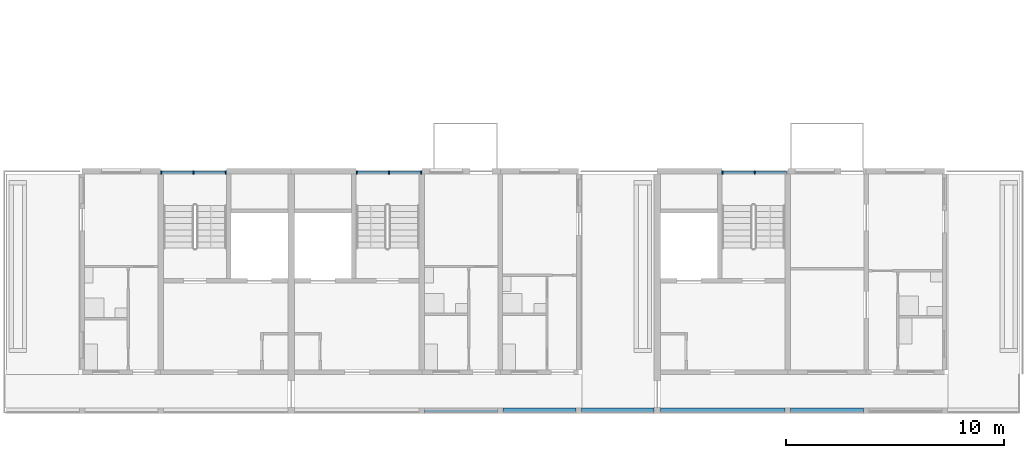
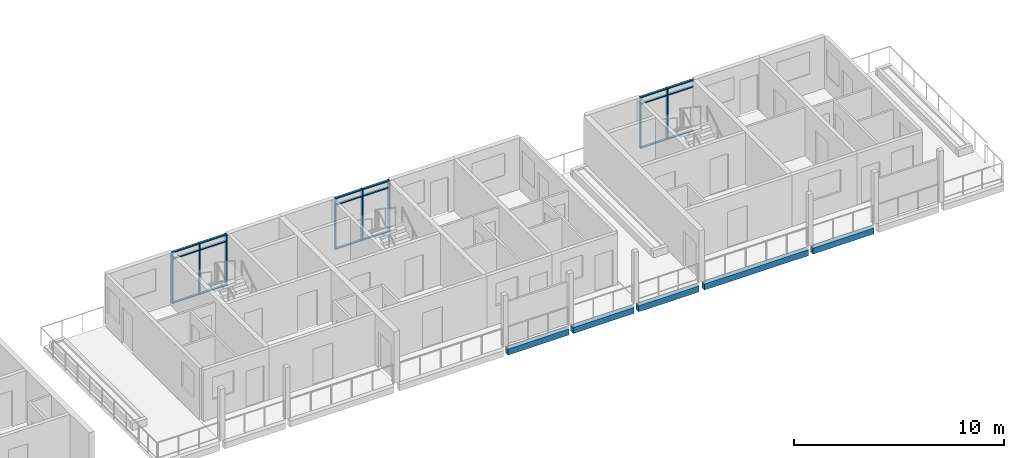
# One storey, part 14 of 55: 26 members, 5 beams, 3 elements without a shape of their own.
"""IFC4 building model written with IfcOpenShell, lengths in metres."""

import ifcopenshell
import ifcopenshell.guid

model = None  # the IFC model being written
_history = None  # IfcOwnerHistory: only IFC2X3 demands one
_inside = {}  # id of a spatial element -> (the spatial element, [elements in it])
_under = {}  # id of a project, library or spatial element -> (it, [spatial elements below it])
_declared = {}  # id of a project -> (the project, [libraries it declares])
_typed = {}  # id of a type object -> (the type object, [elements of that type])
_made_of = {}  # id of a material, layer set ... -> (it, [elements and type objects made of it])


def new_model(schema):
    """Start an empty IFC model of exactly this schema.

    Asked for "IFC4X3", IfcOpenShell would pick the latest addendum, in which some entities
    have other attributes; the version numbers below select the first issue.
    IFC2X3 requires an IfcOwnerHistory on every rooted entity: one is made here for all.
    """
    global model, _history
    if schema == "IFC4X3":
        model = ifcopenshell.file(schema_version=(4, 3, 0, 0))
    else:
        model = ifcopenshell.file(schema=schema)
    _inside.clear()
    _under.clear()
    _declared.clear()
    _typed.clear()
    _made_of.clear()
    _history = None
    if model.schema == "IFC2X3":
        org = make("IfcOrganization", Name="unknown")
        user = make(
            "IfcPersonAndOrganization",
            ThePerson=make("IfcPerson", FamilyName="unknown"),
            TheOrganization=org,
        )
        app = make(
            "IfcApplication",
            ApplicationDeveloper=org,
            Version="unknown",
            ApplicationFullName="unknown",
            ApplicationIdentifier="unknown",
        )
        _history = make(
            "IfcOwnerHistory",
            OwningUser=user,
            OwningApplication=app,
            ChangeAction="ADDED",
            CreationDate=0,
        )
    return model


def make(cls, **values):
    """One entity of the class cls with the attributes given. An attribute that is None is left unset."""
    return model.create_entity(
        cls, **{name: value for name, value in values.items() if value is not None}
    )


def rooted(cls, **values):
    """An entity with a GlobalId (a new one), such as an element, a storey or a relation."""
    return make(cls, GlobalId=ifcopenshell.guid.new(), OwnerHistory=_history, **values)


def si_unit(unit_type, name, prefix=None):
    """IfcSIUnit, for example si_unit("LENGTHUNIT", "METRE", prefix="MILLI")."""
    return make("IfcSIUnit", UnitType=unit_type, Prefix=prefix, Name=name)


def assignment(units):
    """IfcUnitAssignment: the units of a project."""
    return None if units is None else make("IfcUnitAssignment", Units=units)


def point(xyz):
    """IfcCartesianPoint."""
    return None if xyz is None else make("IfcCartesianPoint", Coordinates=xyz)


def direction(xyz):
    """IfcDirection."""
    return None if xyz is None else make("IfcDirection", DirectionRatios=xyz)


def frame(location, z_axis=None, x_axis=None):
    """IfcAxis2Placement3D, a coordinate frame: its origin and axes. An axis left out is left unset."""
    return make(
        "IfcAxis2Placement3D",
        Location=point(location),
        Axis=direction(z_axis),
        RefDirection=direction(x_axis),
    )


def frame_2d(location, x_axis=None):
    """IfcAxis2Placement2D, a coordinate frame in the plane: its origin and x axis."""
    return make(
        "IfcAxis2Placement2D", Location=point(location), RefDirection=direction(x_axis)
    )


def origin():
    """The frame at (0, 0, 0) with its axes left unset."""
    return frame((0.0, 0.0, 0.0))


def origin_2d():
    """The frame at (0, 0) in the plane with its x axis left unset."""
    return frame_2d((0.0, 0.0))


def place(relative_to, where):
    """IfcLocalPlacement: puts the frame where relative to a parent placement (None: the world)."""
    return make(
        "IfcLocalPlacement", PlacementRelTo=relative_to, RelativePlacement=where
    )


def context(
    kind, dimensions, precision=None, world=None, true_north=None, identifier=None
):
    """IfcGeometricRepresentationContext, for example the 3D "Model" context."""
    return make(
        "IfcGeometricRepresentationContext",
        ContextIdentifier=identifier,
        ContextType=kind,
        CoordinateSpaceDimension=dimensions,
        Precision=precision,
        WorldCoordinateSystem=world,
        TrueNorth=true_north,
    )


def subcontext(parent, identifier, kind, view, scale=None):
    """IfcGeometricRepresentationSubContext, for example "Body" below "Model"."""
    return make(
        "IfcGeometricRepresentationSubContext",
        ContextIdentifier=identifier,
        ContextType=kind,
        ParentContext=parent,
        TargetScale=scale,
        TargetView=view,
    )


def project(units=None, contexts=None):
    """IfcProject with its units and contexts."""
    return rooted(
        "IfcProject",
        Name="project",
        RepresentationContexts=contexts,
        UnitsInContext=assignment(units),
    )


def spatial(cls, under=None, at=None, **own):
    """A site, building, storey or space (cls), placed at a placement, below another one or the project."""
    s = rooted(cls, ObjectPlacement=at, **own)
    if under is not None:
        _under.setdefault(under.id(), (under, []))[1].append(s)
    return s


def profile(cls, at=None, kind="AREA", **sizes):
    """A parametric profile (cls). Its sizes go by their IFC names, for example OverallWidth=200.0."""
    return make(cls, ProfileType=kind, Position=at, **sizes)


def rectangle(**sizes):
    """IfcRectangleProfileDef."""
    return profile("IfcRectangleProfileDef", **sizes)


def extrude(swept, where, along, depth):
    """IfcExtrudedAreaSolid: the profile swept, set in the frame where, extruded along a direction by depth."""
    return make(
        "IfcExtrudedAreaSolid",
        SweptArea=swept,
        Position=where,
        ExtrudedDirection=direction(along),
        Depth=depth,
    )


def shape(context_of_items, identifier, shape_type, items):
    """IfcShapeRepresentation: the items that make up one representation, for example the "Body"."""
    return make(
        "IfcShapeRepresentation",
        ContextOfItems=context_of_items,
        RepresentationIdentifier=identifier,
        RepresentationType=shape_type,
        Items=items,
    )


def material(Name=None, Category=None):
    """IfcMaterial."""
    return make("IfcMaterial", Name=Name, Category=Category)


def material_profile(
    of_material, cross_section, Name=None, Category=None, Priority=None
):
    """IfcMaterialProfile: a cross section and its material."""
    return make(
        "IfcMaterialProfile",
        Name=Name,
        Material=of_material,
        Profile=cross_section,
        Priority=Priority,
        Category=Category,
    )


def profile_set(profiles, Name=None, composite=None):
    """IfcMaterialProfileSet."""
    return make(
        "IfcMaterialProfileSet",
        Name=Name,
        MaterialProfiles=profiles,
        CompositeProfile=composite,
    )


def made_of(thing, what):
    """Note that an element or type object is made of a material, layer set ...; save() writes the relation."""
    if what is not None:
        _made_of.setdefault(what.id(), (what, []))[1].append(thing)
    return thing


def type_object(cls, material=None, **own):
    """A type object (cls), such as IfcWallType, which elements share."""
    return made_of(rooted(cls, **own), material)


def element(
    cls,
    number,
    at=None,
    inside=None,
    cuts=None,
    type_object=None,
    material=None,
    context=None,
    identifier="Body",
    shape_type=None,
    held_by="IfcProductDefinitionShape",
    body=None,
    shapes=None,
    **own,
):
    """One element of the class cls, such as IfcWall. Its Tag is "e" and its number.

    at: its placement. inside: the storey or other place that contains it. cuts: it is an
    opening in that element (IfcRelVoidsElement). A single representation is given by context,
    identifier, shape_type and body (its items); several are given by shapes. held_by: the class
    of the entity that holds the representations. save() writes the other relations.
    """
    e = rooted(cls, Tag="e%d" % number, ObjectPlacement=at, **own)
    if body is not None:
        shapes = [shape(context, identifier, shape_type, body)]
    if shapes is not None:
        e.Representation = make(held_by, Representations=shapes)
    if inside is not None:
        _inside.setdefault(inside.id(), (inside, []))[1].append(e)
    if cuts is not None:
        rooted(
            "IfcRelVoidsElement", RelatingBuildingElement=cuts, RelatedOpeningElement=e
        )
    if type_object is not None:
        _typed.setdefault(type_object.id(), (type_object, []))[1].append(e)
    return made_of(e, material)


def aggregate(whole, parts):
    """IfcRelAggregates: a whole, such as a stair, and the parts it consists of."""
    return rooted("IfcRelAggregates", RelatingObject=whole, RelatedObjects=parts)


def save(model, path):
    """Write the relations noted so far, then the file.

    IfcRelAggregates (storeys below a building ...), IfcRelContainedInSpatialStructure (elements
    in a storey), IfcRelDefinesByType, IfcRelAssociatesMaterial and IfcRelDeclares: one each for
    every whole, place, type object, material and project.
    """
    for whole, parts in _under.values():
        aggregate(whole, parts)
    for where, things in _inside.values():
        rooted(
            "IfcRelContainedInSpatialStructure",
            RelatedElements=things,
            RelatingStructure=where,
        )
    for kind, things in _typed.values():
        rooted("IfcRelDefinesByType", RelatedObjects=things, RelatingType=kind)
    for what, things in _made_of.values():
        rooted("IfcRelAssociatesMaterial", RelatedObjects=things, RelatingMaterial=what)
    for by, libraries in _declared.values():
        rooted("IfcRelDeclares", RelatingContext=by, RelatedDefinitions=libraries)
    model.write(path)


model = new_model("IFC4")

# Units and contexts
model_context = context("Model", 3, precision=1e-05, world=origin(), true_north=direction((0.0, 1.0)))
body_context = subcontext(model_context, "Body", "Model", "MODEL_VIEW")
ifc_project = project(units=[si_unit("LENGTHUNIT", "METRE"), si_unit("AREAUNIT", "SQUARE_METRE"), si_unit("VOLUMEUNIT", "CUBIC_METRE"), si_unit("PLANEANGLEUNIT", "RADIAN"), si_unit("MASSUNIT", "GRAM", prefix="KILO")], contexts=[model_context])

# Site, building, storey
site_placement = place(None, origin())
site = spatial("IfcSite", under=ifc_project, at=site_placement, CompositionType="ELEMENT")
building_placement = place(site_placement, origin())
building = spatial("IfcBuilding", under=site, at=building_placement, Name="Ridgestep Commons", CompositionType="ELEMENT")
storey_placement = place(building_placement, frame((0.0, 0.0, 36.0)))
storey = spatial("IfcBuildingStorey", under=building, at=storey_placement, Name="L12", CompositionType="ELEMENT", Elevation=36.0)

# Beams
ifc_material_1 = material(Name="Precast concrete C40/50", Category="concrete")
ifc_material_profile_1 = material_profile(ifc_material_1, rectangle(XDim=0.25, YDim=0.35009765625, at=origin_2d()), Name="PC 250x350")
ifc_profile_set_1 = profile_set([ifc_material_profile_1], Name="Precast concrete C40/50")
beam_type = type_object("IfcBeamType", Name="Loggia edge beam 250 x 350", PredefinedType="SPANDREL", material=ifc_profile_set_1)
beam_1_placement = place(storey_placement, frame((220.125, 11.875, -0.375), z_axis=(1.0, 0.0, 0.0), x_axis=(0.0, 1.0, 0.0)))
element("IfcBeam", 1, at=beam_1_placement, inside=storey, type_object=beam_type, Name="Loggia edge beam D5T3 L12", PredefinedType="SPANDREL", context=body_context, shape_type="SweptSolid", body=[
    extrude(rectangle(XDim=0.25, YDim=0.35009765625, at=origin_2d()), origin(), (0.0, 0.0, 1.0), 3.35009765625),
])
beam_2_placement = place(storey_placement, frame((223.72509765625, 11.875, -0.375), z_axis=(1.0, 0.0, 0.0), x_axis=(0.0, 1.0, 0.0)))
element("IfcBeam", 2, at=beam_2_placement, inside=storey, type_object=beam_type, Name="Loggia edge beam D5T2 L12", PredefinedType="SPANDREL", context=body_context, shape_type="SweptSolid", body=[
    extrude(rectangle(XDim=0.25, YDim=0.35009765625, at=origin_2d()), origin(), (0.0, 0.0, 1.0), 3.349853515625),
])
beam_3_placement = place(storey_placement, frame((227.324951171875, 11.875, -0.375), z_axis=(1.0, 0.0, 0.0), x_axis=(0.0, 1.0, 0.0)))
element("IfcBeam", 3, at=beam_3_placement, inside=storey, type_object=beam_type, Name="Loggia edge beam D5T1 L12", PredefinedType="SPANDREL", context=body_context, shape_type="SweptSolid", body=[
    extrude(rectangle(XDim=0.25, YDim=0.35009765625, at=origin_2d()), origin(), (0.0, 0.0, 1.0), 3.324951171875),
])
beam_4_placement = place(storey_placement, frame((230.949951171875, 11.875, -0.375), z_axis=(1.0, 0.0, 0.0), x_axis=(0.0, 1.0, 0.0)))
element("IfcBeam", 4, at=beam_4_placement, inside=storey, type_object=beam_type, Name="Loggia edge beam D6C L12", PredefinedType="SPANDREL", context=body_context, shape_type="SweptSolid", body=[
    extrude(rectangle(XDim=0.25, YDim=0.35009765625, at=origin_2d()), origin(), (0.0, 0.0, 1.0), 5.72509765625),
])
beam_5_placement = place(storey_placement, frame((236.925048828125, 11.875, -0.375), z_axis=(1.0, 0.0, 0.0), x_axis=(0.0, 1.0, 0.0)))
element("IfcBeam", 5, at=beam_5_placement, inside=storey, type_object=beam_type, Name="Loggia edge beam D6T3 L12", PredefinedType="SPANDREL", context=body_context, shape_type="SweptSolid", body=[
    extrude(rectangle(XDim=0.25, YDim=0.35009765625, at=origin_2d()), origin(), (0.0, 0.0, 1.0), 3.349853515625),
])

# Curtain wall, members
ifc_material_2 = material(Name="Aluminium 6063-T6 and glass", Category="aluminium")
curtain_wall_type = type_object("IfcCurtainWallType", Name="Curtain wall stair strip", PredefinedType="NOTDEFINED", material=ifc_material_2)
curtain_wall_1_placement = place(storey_placement, origin())
curtain_wall_1 = element("IfcCurtainWall", 6, at=curtain_wall_1_placement, inside=storey, type_object=curtain_wall_type, Name="Curtain wall D4C level 12", PredefinedType="NOTDEFINED")
ifc_material_3 = material(Name="Aluminium 6063-T6", Category="aluminium")
ifc_material_profile_2 = material_profile(ifc_material_3, rectangle(XDim=0.159912109375, YDim=0.06005859375, at=origin_2d()), Name="Mullion 60 x 160")
ifc_profile_set_2 = profile_set([ifc_material_profile_2], Name="Aluminium 6063-T6")
member_type_1 = type_object("IfcMemberType", Name="Mullion 60 x 160", PredefinedType="MULLION", material=ifc_profile_set_2)
member_1_placement = place(storey_placement, frame((208.030029296875, 22.830078125, 0.0), z_axis=(0.0, 0.0, 1.0), x_axis=(0.0, 1.0, 0.0)))
member_1 = element("IfcMember", 7, at=member_1_placement, type_object=member_type_1, Name="CW1 mullion 1", PredefinedType="MULLION", context=body_context, shape_type="SweptSolid", body=[
    extrude(rectangle(XDim=0.159912109375, YDim=0.06005859375, at=origin_2d()), origin(), (0.0, 0.0, 1.0), 3.0),
])
member_2_placement = place(storey_placement, frame((209.512451171875, 22.830078125, 0.0), z_axis=(0.0, 0.0, 1.0), x_axis=(0.0, 1.0, 0.0)))
member_2 = element("IfcMember", 8, at=member_2_placement, type_object=member_type_1, Name="CW1 mullion 2", PredefinedType="MULLION", context=body_context, shape_type="SweptSolid", body=[
    extrude(rectangle(XDim=0.159912109375, YDim=0.06005859375, at=origin_2d()), origin(), (0.0, 0.0, 1.0), 3.0),
])
member_3_placement = place(storey_placement, frame((210.9951171875, 22.830078125, 0.0), z_axis=(0.0, 0.0, 1.0), x_axis=(0.0, 1.0, 0.0)))
member_3 = element("IfcMember", 9, at=member_3_placement, type_object=member_type_1, Name="CW1 mullion 3", PredefinedType="MULLION", context=body_context, shape_type="SweptSolid", body=[
    extrude(rectangle(XDim=0.159912109375, YDim=0.06005859375, at=origin_2d()), origin(), (0.0, 0.0, 1.0), 3.0),
])

curtain_wall_2_placement = place(storey_placement, origin())
curtain_wall_2 = element("IfcCurtainWall", 10, at=curtain_wall_2_placement, inside=storey, type_object=curtain_wall_type, Name="Curtain wall D5C level 12", PredefinedType="NOTDEFINED")
member_4_placement = place(storey_placement, frame((217.0048828125, 22.830078125, 0.0), z_axis=(0.0, 0.0, 1.0), x_axis=(0.0, 1.0, 0.0)))
member_4 = element("IfcMember", 11, at=member_4_placement, type_object=member_type_1, Name="CW1 mullion 1", PredefinedType="MULLION", context=body_context, shape_type="SweptSolid", body=[
    extrude(rectangle(XDim=0.159912109375, YDim=0.06005859375, at=origin_2d()), origin(), (0.0, 0.0, 1.0), 3.0),
])
member_5_placement = place(storey_placement, frame((218.487548828125, 22.830078125, 0.0), z_axis=(0.0, 0.0, 1.0), x_axis=(0.0, 1.0, 0.0)))
member_5 = element("IfcMember", 12, at=member_5_placement, type_object=member_type_1, Name="CW1 mullion 2", PredefinedType="MULLION", context=body_context, shape_type="SweptSolid", body=[
    extrude(rectangle(XDim=0.159912109375, YDim=0.06005859375, at=origin_2d()), origin(), (0.0, 0.0, 1.0), 3.0),
])
member_6_placement = place(storey_placement, frame((219.969970703125, 22.830078125, 0.0), z_axis=(0.0, 0.0, 1.0), x_axis=(0.0, 1.0, 0.0)))
member_6 = element("IfcMember", 13, at=member_6_placement, type_object=member_type_1, Name="CW1 mullion 3", PredefinedType="MULLION", context=body_context, shape_type="SweptSolid", body=[
    extrude(rectangle(XDim=0.159912109375, YDim=0.06005859375, at=origin_2d()), origin(), (0.0, 0.0, 1.0), 3.0),
])

curtain_wall_3_placement = place(storey_placement, origin())
curtain_wall_3 = element("IfcCurtainWall", 14, at=curtain_wall_3_placement, inside=storey, type_object=curtain_wall_type, Name="Curtain wall D6C level 12", PredefinedType="NOTDEFINED")
member_7_placement = place(storey_placement, frame((233.804931640625, 22.830078125, 0.0), z_axis=(0.0, 0.0, 1.0), x_axis=(0.0, 1.0, 0.0)))
member_7 = element("IfcMember", 15, at=member_7_placement, type_object=member_type_1, Name="CW1 mullion 1", PredefinedType="MULLION", context=body_context, shape_type="SweptSolid", body=[
    extrude(rectangle(XDim=0.159912109375, YDim=0.06005859375, at=origin_2d()), origin(), (0.0, 0.0, 1.0), 3.0),
])
member_8_placement = place(storey_placement, frame((235.28759765625, 22.830078125, 0.0), z_axis=(0.0, 0.0, 1.0), x_axis=(0.0, 1.0, 0.0)))
member_8 = element("IfcMember", 16, at=member_8_placement, type_object=member_type_1, Name="CW1 mullion 2", PredefinedType="MULLION", context=body_context, shape_type="SweptSolid", body=[
    extrude(rectangle(XDim=0.159912109375, YDim=0.06005859375, at=origin_2d()), origin(), (0.0, 0.0, 1.0), 3.0),
])

# Member
ifc_material_4 = material(Name="Aluminium 6063-T6", Category="aluminium")
ifc_material_profile_3 = material_profile(ifc_material_4, rectangle(XDim=0.1201171875, YDim=0.06005859375, at=origin_2d()), Name="Transom 60 x 120")
ifc_profile_set_3 = profile_set([ifc_material_profile_3], Name="Aluminium 6063-T6")
member_type_2 = type_object("IfcMemberType", Name="Transom 60 x 120", PredefinedType="USERDEFINED", material=ifc_profile_set_3)
member_9_placement = place(storey_placement, frame((208.06005859375, 22.830078125, 0.030029296875), z_axis=(1.0, 0.0, 0.0), x_axis=(0.0, 1.0, 0.0)))
member_9 = element("IfcMember", 17, at=member_9_placement, type_object=member_type_2, Name="CW1 transom 1.1", ObjectType="TRANSOM", PredefinedType="USERDEFINED", context=body_context, shape_type="SweptSolid", body=[
    extrude(rectangle(XDim=0.1201171875, YDim=0.06005859375, at=origin_2d()), origin(), (0.0, 0.0, 1.0), 1.42236328125),
])

member_10_placement = place(storey_placement, frame((208.06005859375, 22.830078125, 2.590087890625), z_axis=(1.0, 0.0, 0.0), x_axis=(0.0, 1.0, 0.0)))
member_10 = element("IfcMember", 18, at=member_10_placement, type_object=member_type_2, Name="CW1 transom 1.2", ObjectType="TRANSOM", PredefinedType="USERDEFINED", context=body_context, shape_type="SweptSolid", body=[
    extrude(rectangle(XDim=0.1201171875, YDim=0.06005859375, at=origin_2d()), origin(), (0.0, 0.0, 1.0), 1.42236328125),
])

member_11_placement = place(storey_placement, frame((208.06005859375, 22.830078125, 2.969970703125), z_axis=(1.0, 0.0, 0.0), x_axis=(0.0, 1.0, 0.0)))
member_11 = element("IfcMember", 19, at=member_11_placement, type_object=member_type_2, Name="CW1 transom 1.3", ObjectType="TRANSOM", PredefinedType="USERDEFINED", context=body_context, shape_type="SweptSolid", body=[
    extrude(rectangle(XDim=0.1201171875, YDim=0.06005859375, at=origin_2d()), origin(), (0.0, 0.0, 1.0), 1.42236328125),
])

member_12_placement = place(storey_placement, frame((209.54248046875, 22.830078125, 0.030029296875), z_axis=(1.0, 0.0, 0.0), x_axis=(0.0, 1.0, 0.0)))
member_12 = element("IfcMember", 20, at=member_12_placement, type_object=member_type_2, Name="CW1 transom 2.1", ObjectType="TRANSOM", PredefinedType="USERDEFINED", context=body_context, shape_type="SweptSolid", body=[
    extrude(rectangle(XDim=0.1201171875, YDim=0.06005859375, at=origin_2d()), origin(), (0.0, 0.0, 1.0), 1.422607421875),
])

member_13_placement = place(storey_placement, frame((209.54248046875, 22.830078125, 2.590087890625), z_axis=(1.0, 0.0, 0.0), x_axis=(0.0, 1.0, 0.0)))
member_13 = element("IfcMember", 21, at=member_13_placement, type_object=member_type_2, Name="CW1 transom 2.2", ObjectType="TRANSOM", PredefinedType="USERDEFINED", context=body_context, shape_type="SweptSolid", body=[
    extrude(rectangle(XDim=0.1201171875, YDim=0.06005859375, at=origin_2d()), origin(), (0.0, 0.0, 1.0), 1.422607421875),
])

member_14_placement = place(storey_placement, frame((209.54248046875, 22.830078125, 2.969970703125), z_axis=(1.0, 0.0, 0.0), x_axis=(0.0, 1.0, 0.0)))
member_14 = element("IfcMember", 22, at=member_14_placement, type_object=member_type_2, Name="CW1 transom 2.3", ObjectType="TRANSOM", PredefinedType="USERDEFINED", context=body_context, shape_type="SweptSolid", body=[
    extrude(rectangle(XDim=0.1201171875, YDim=0.06005859375, at=origin_2d()), origin(), (0.0, 0.0, 1.0), 1.422607421875),
])

aggregate(curtain_wall_1, [member_1, member_2, member_3, member_9, member_10, member_11, member_12, member_13, member_14])

member_15_placement = place(storey_placement, frame((217.034912109375, 22.830078125, 0.030029296875), z_axis=(1.0, 0.0, 0.0), x_axis=(0.0, 1.0, 0.0)))
member_15 = element("IfcMember", 23, at=member_15_placement, type_object=member_type_2, Name="CW1 transom 1.1", ObjectType="TRANSOM", PredefinedType="USERDEFINED", context=body_context, shape_type="SweptSolid", body=[
    extrude(rectangle(XDim=0.1201171875, YDim=0.06005859375, at=origin_2d()), origin(), (0.0, 0.0, 1.0), 1.422607421875),
])

member_16_placement = place(storey_placement, frame((217.034912109375, 22.830078125, 2.590087890625), z_axis=(1.0, 0.0, 0.0), x_axis=(0.0, 1.0, 0.0)))
member_16 = element("IfcMember", 24, at=member_16_placement, type_object=member_type_2, Name="CW1 transom 1.2", ObjectType="TRANSOM", PredefinedType="USERDEFINED", context=body_context, shape_type="SweptSolid", body=[
    extrude(rectangle(XDim=0.1201171875, YDim=0.06005859375, at=origin_2d()), origin(), (0.0, 0.0, 1.0), 1.422607421875),
])

member_17_placement = place(storey_placement, frame((217.034912109375, 22.830078125, 2.969970703125), z_axis=(1.0, 0.0, 0.0), x_axis=(0.0, 1.0, 0.0)))
member_17 = element("IfcMember", 25, at=member_17_placement, type_object=member_type_2, Name="CW1 transom 1.3", ObjectType="TRANSOM", PredefinedType="USERDEFINED", context=body_context, shape_type="SweptSolid", body=[
    extrude(rectangle(XDim=0.1201171875, YDim=0.06005859375, at=origin_2d()), origin(), (0.0, 0.0, 1.0), 1.422607421875),
])

member_18_placement = place(storey_placement, frame((218.517578125, 22.830078125, 0.030029296875), z_axis=(1.0, 0.0, 0.0), x_axis=(0.0, 1.0, 0.0)))
member_18 = element("IfcMember", 26, at=member_18_placement, type_object=member_type_2, Name="CW1 transom 2.1", ObjectType="TRANSOM", PredefinedType="USERDEFINED", context=body_context, shape_type="SweptSolid", body=[
    extrude(rectangle(XDim=0.1201171875, YDim=0.06005859375, at=origin_2d()), origin(), (0.0, 0.0, 1.0), 1.42236328125),
])

member_19_placement = place(storey_placement, frame((218.517578125, 22.830078125, 2.590087890625), z_axis=(1.0, 0.0, 0.0), x_axis=(0.0, 1.0, 0.0)))
member_19 = element("IfcMember", 27, at=member_19_placement, type_object=member_type_2, Name="CW1 transom 2.2", ObjectType="TRANSOM", PredefinedType="USERDEFINED", context=body_context, shape_type="SweptSolid", body=[
    extrude(rectangle(XDim=0.1201171875, YDim=0.06005859375, at=origin_2d()), origin(), (0.0, 0.0, 1.0), 1.42236328125),
])

member_20_placement = place(storey_placement, frame((218.517578125, 22.830078125, 2.969970703125), z_axis=(1.0, 0.0, 0.0), x_axis=(0.0, 1.0, 0.0)))
member_20 = element("IfcMember", 28, at=member_20_placement, type_object=member_type_2, Name="CW1 transom 2.3", ObjectType="TRANSOM", PredefinedType="USERDEFINED", context=body_context, shape_type="SweptSolid", body=[
    extrude(rectangle(XDim=0.1201171875, YDim=0.06005859375, at=origin_2d()), origin(), (0.0, 0.0, 1.0), 1.42236328125),
])

aggregate(curtain_wall_2, [member_4, member_5, member_6, member_15, member_16, member_17, member_18, member_19, member_20])

member_21_placement = place(storey_placement, frame((233.8349609375, 22.830078125, 0.030029296875), z_axis=(1.0, 0.0, 0.0), x_axis=(0.0, 1.0, 0.0)))
member_21 = element("IfcMember", 29, at=member_21_placement, type_object=member_type_2, Name="CW1 transom 1.1", ObjectType="TRANSOM", PredefinedType="USERDEFINED", context=body_context, shape_type="SweptSolid", body=[
    extrude(rectangle(XDim=0.1201171875, YDim=0.06005859375, at=origin_2d()), origin(), (0.0, 0.0, 1.0), 1.422607421875),
])

member_22_placement = place(storey_placement, frame((233.8349609375, 22.830078125, 2.590087890625), z_axis=(1.0, 0.0, 0.0), x_axis=(0.0, 1.0, 0.0)))
member_22 = element("IfcMember", 30, at=member_22_placement, type_object=member_type_2, Name="CW1 transom 1.2", ObjectType="TRANSOM", PredefinedType="USERDEFINED", context=body_context, shape_type="SweptSolid", body=[
    extrude(rectangle(XDim=0.1201171875, YDim=0.06005859375, at=origin_2d()), origin(), (0.0, 0.0, 1.0), 1.422607421875),
])

member_23_placement = place(storey_placement, frame((233.8349609375, 22.830078125, 2.969970703125), z_axis=(1.0, 0.0, 0.0), x_axis=(0.0, 1.0, 0.0)))
member_23 = element("IfcMember", 31, at=member_23_placement, type_object=member_type_2, Name="CW1 transom 1.3", ObjectType="TRANSOM", PredefinedType="USERDEFINED", context=body_context, shape_type="SweptSolid", body=[
    extrude(rectangle(XDim=0.1201171875, YDim=0.06005859375, at=origin_2d()), origin(), (0.0, 0.0, 1.0), 1.422607421875),
])

member_24_placement = place(storey_placement, frame((235.3173828125, 22.830078125, 0.030029296875), z_axis=(1.0, 0.0, 0.0), x_axis=(0.0, 1.0, 0.0)))
member_24 = element("IfcMember", 32, at=member_24_placement, type_object=member_type_2, Name="CW1 transom 2.1", ObjectType="TRANSOM", PredefinedType="USERDEFINED", context=body_context, shape_type="SweptSolid", body=[
    extrude(rectangle(XDim=0.1201171875, YDim=0.06005859375, at=origin_2d()), origin(), (0.0, 0.0, 1.0), 1.422607421875),
])

member_25_placement = place(storey_placement, frame((235.3173828125, 22.830078125, 2.590087890625), z_axis=(1.0, 0.0, 0.0), x_axis=(0.0, 1.0, 0.0)))
member_25 = element("IfcMember", 33, at=member_25_placement, type_object=member_type_2, Name="CW1 transom 2.2", ObjectType="TRANSOM", PredefinedType="USERDEFINED", context=body_context, shape_type="SweptSolid", body=[
    extrude(rectangle(XDim=0.1201171875, YDim=0.06005859375, at=origin_2d()), origin(), (0.0, 0.0, 1.0), 1.422607421875),
])

member_26_placement = place(storey_placement, frame((235.3173828125, 22.830078125, 2.969970703125), z_axis=(1.0, 0.0, 0.0), x_axis=(0.0, 1.0, 0.0)))
member_26 = element("IfcMember", 34, at=member_26_placement, type_object=member_type_2, Name="CW1 transom 2.3", ObjectType="TRANSOM", PredefinedType="USERDEFINED", context=body_context, shape_type="SweptSolid", body=[
    extrude(rectangle(XDim=0.1201171875, YDim=0.06005859375, at=origin_2d()), origin(), (0.0, 0.0, 1.0), 1.422607421875),
])

aggregate(curtain_wall_3, [member_7, member_8, member_21, member_22, member_23, member_24, member_25, member_26])

save(model, "model.ifc")
